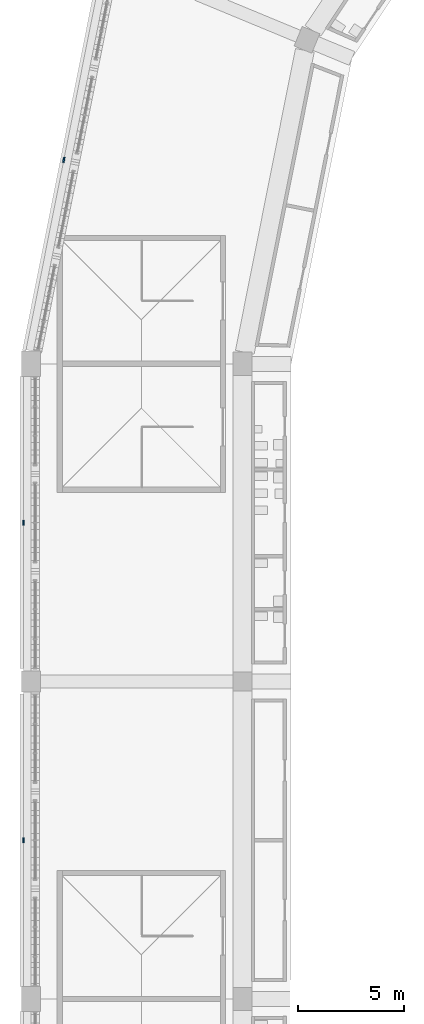
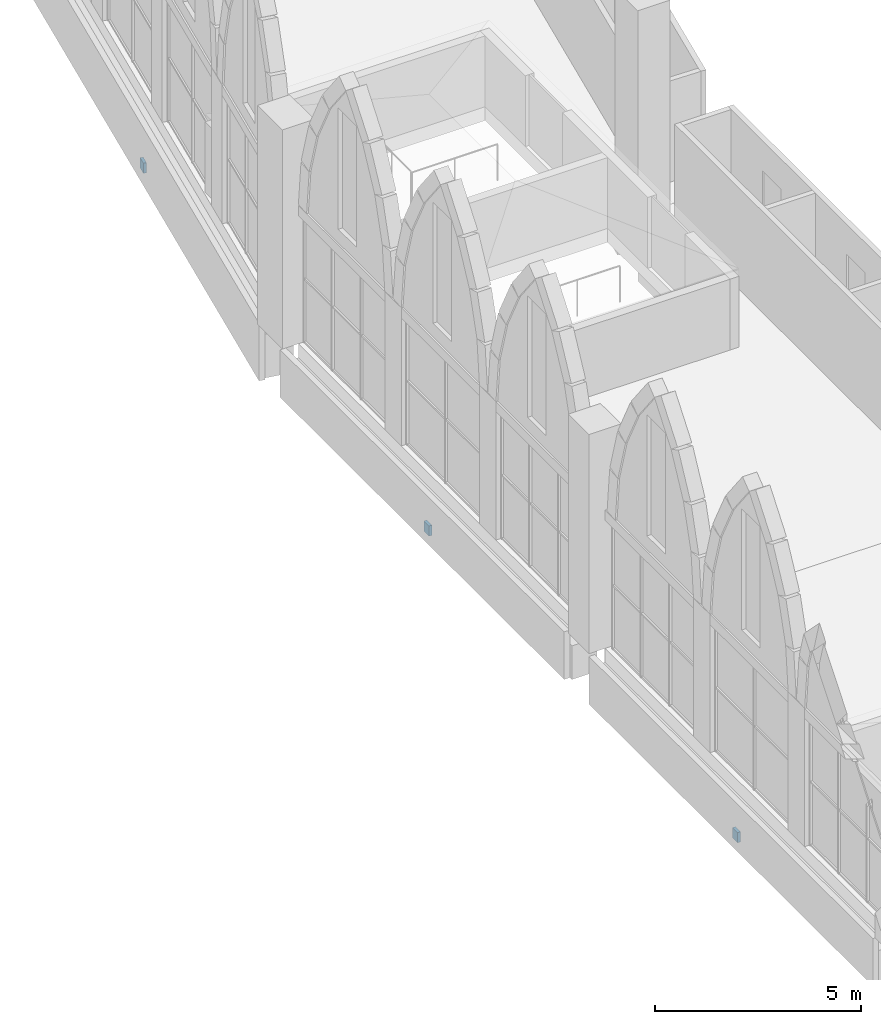
# One storey, part 96 of 130: 3 discrete accessories.
"""IFC4 building model written with IfcOpenShell, lengths in metres."""

from ifc_helpers import new_model, si_unit, direction, frame, origin, origin_2d, place, context, subcontext, project, spatial, rectangle, extrude, material, layer, layer_set, type_object, element, save


model = new_model("IFC4")

# Units and contexts
model_context = context("Model", 3, precision=1e-05, world=origin(), true_north=direction((0.0, 1.0)))
body_context = subcontext(model_context, "Body", "Model", "MODEL_VIEW")
ifc_project = project(units=[si_unit("LENGTHUNIT", "METRE"), si_unit("AREAUNIT", "SQUARE_METRE"), si_unit("VOLUMEUNIT", "CUBIC_METRE"), si_unit("PLANEANGLEUNIT", "RADIAN"), si_unit("MASSUNIT", "GRAM", prefix="KILO")], contexts=[model_context])

# Site, building, storey
site_placement = place(None, origin())
site = spatial("IfcSite", under=ifc_project, at=site_placement, CompositionType="ELEMENT")
building_placement = place(site_placement, origin())
building = spatial("IfcBuilding", under=site, at=building_placement, Name="Ogive Plaza Stadium", CompositionType="ELEMENT")
storey_placement = place(building_placement, frame((0.0, 0.0, 22.5)))
storey = spatial("IfcBuildingStorey", under=building, at=storey_placement, Name="L05", CompositionType="ELEMENT", Elevation=22.5)

# Discrete accessories
ifc_material = material(Name="Steel ASTM A572 Grade 50", Category="steel")
ifc_layer = layer(ifc_material, 0.080078125)
ifc_layer_set = layer_set([ifc_layer], Name="Steel ASTM A572 Grade 50")
discrete_accessory_type = type_object("IfcDiscreteAccessoryType", Name="Spandrel cladding bracket 250x300", PredefinedType="BRACKET", material=ifc_layer_set)
for number, where, z_axis, x_axis, name in (
    (1, (-84.35009765625, 30.0, -1.31005859375), (0.0, 0.0, 1.0), (0.0, 1.0, 0.0), "SPANDREL BRACKET B26 L05"),
    (2, (-84.35009765625, 45.0, -1.31005859375), (0.0, 0.0, 1.0), (0.0, 1.0, 0.0), "SPANDREL BRACKET B27 L05"),
    (3, (-82.440185546875, 62.135498046875, -1.60986328125), (0.0, 0.0, 1.0), (0.195090322016, 0.980785280403, 0.0), "SPANDREL BRACKET B28 L05"),
):
    element("IfcDiscreteAccessory", number, at=place(storey_placement, frame(where, z_axis=z_axis, x_axis=x_axis)), inside=storey, type_object=discrete_accessory_type, Name=name, PredefinedType="BRACKET", context=body_context, shape_type="SweptSolid", body=[
        extrude(rectangle(XDim=0.25, YDim=0.080078125, at=origin_2d()), origin(), (0.0, 0.0, 1.0), 0.300048828125),
    ])

save(model, "model.ifc")
